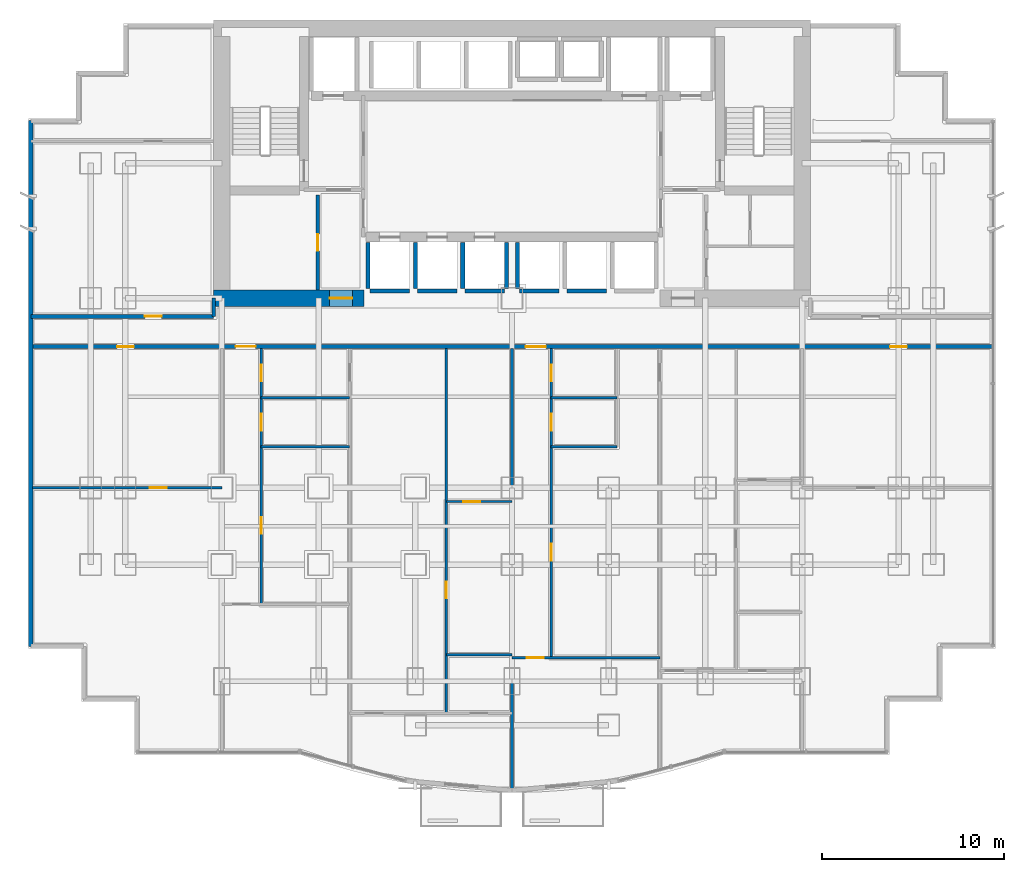
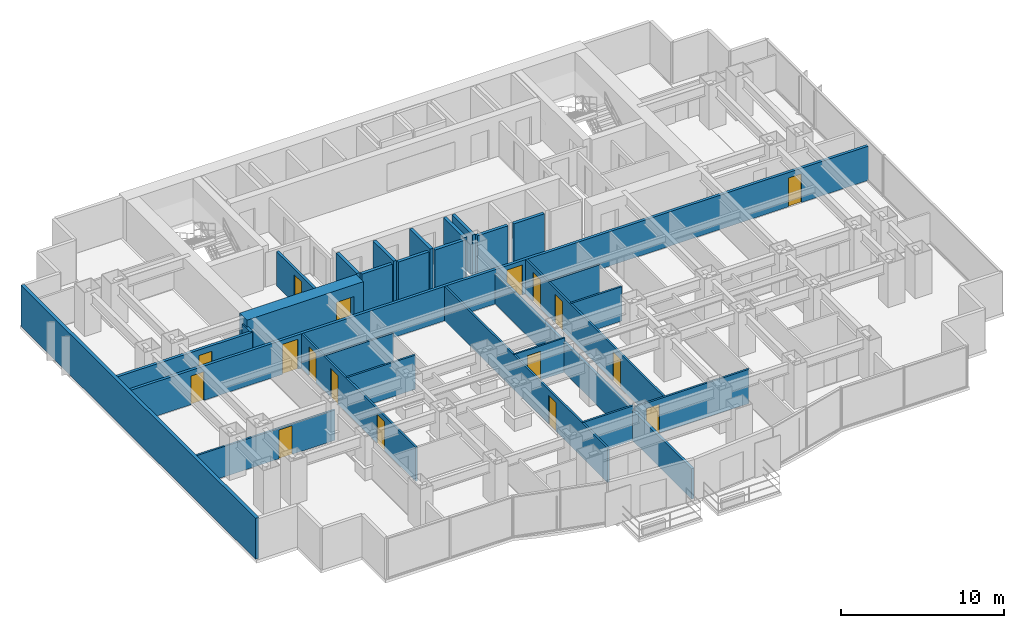
# One storey, part 7 of 12: 28 walls, 17 doors, 17 openings.
"""IFC4 building model written with IfcOpenShell, lengths in metres."""

from ifc_helpers import new_model, si_unit, direction, frame, frame_2d, origin, place, context, subcontext, project, spatial, rectangle, extrude, material, layer, layer_set, type_object, element, fill, save


model = new_model("IFC4")

# Units and contexts
model_context = context("Model", 3, precision=1e-05, world=origin(), true_north=direction((0.0, 1.0)))
body_context = subcontext(model_context, "Body", "Model", "MODEL_VIEW")
ifc_project = project(units=[si_unit("LENGTHUNIT", "METRE"), si_unit("AREAUNIT", "SQUARE_METRE"), si_unit("VOLUMEUNIT", "CUBIC_METRE"), si_unit("PLANEANGLEUNIT", "RADIAN"), si_unit("MASSUNIT", "GRAM", prefix="KILO")], contexts=[model_context])

# Site, building, storey
site_placement = place(None, origin())
site = spatial("IfcSite", under=ifc_project, at=site_placement, CompositionType="ELEMENT")
building_placement = place(site_placement, origin())
building = spatial("IfcBuilding", under=site, at=building_placement, Name="Qianlan Lanfeng Residences", CompositionType="ELEMENT")
storey_placement = place(building_placement, frame((0.0, 0.0, 47.300048828125)))
storey = spatial("IfcBuildingStorey", under=building, at=storey_placement, Name="L12", CompositionType="ELEMENT", Elevation=47.300048828125)

# Wall, opening, door
ifc_material_1 = material(Name="Concrete C70", Category="concrete")
ifc_layer_1 = layer(ifc_material_1, 0.89990234375)
ifc_layer_set_1 = layer_set([ifc_layer_1], Name="Concrete C70")
wall_type_1 = type_object("IfcWallType", Name="CW-RC-900", PredefinedType="SHEAR", material=ifc_layer_set_1)
wall_1_placement = place(storey_placement, frame((10.14990234375, 25.199951171875, 0.0), z_axis=(0.0, 0.0, 1.0), x_axis=(1.0, 0.0, 0.0)))
wall_1 = element("IfcWall", 1, at=wall_1_placement, inside=storey, type_object=wall_type_1, Name="L12 Core Shear Wall SW", PredefinedType="SHEAR", context=body_context, shape_type="SweptSolid", body=[
    extrude(rectangle(XDim=8.25, YDim=0.89990234375, at=frame_2d((4.125, 0.0))), origin(), (0.0, 0.0, 1.0), 3.079833984375),
])
opening_1_placement = place(wall_1_placement, frame((6.35009765625, 0.0, 0.0)))
opening_1 = element("IfcOpeningElement", 2, at=opening_1_placement, cuts=wall_1, Name="Opening L12-D01", PredefinedType="OPENING", context=body_context, shape_type="SweptSolid", body=[
    extrude(rectangle(XDim=1.25, YDim=2.199951171875, at=frame_2d((0.625, 1.10009765625))), frame((0.0, 0.4599609375, 0.0), z_axis=(0.0, -1.0, 0.0), x_axis=(1.0, 0.0, 0.0)), (0.0, 0.0, 1.0), 0.919921875),
])
ifc_material_2 = material(Name="Painted Galvanised Steel Fire Door", Category="steel")
door_type_1 = type_object("IfcDoorType", Name="DT-FFL", OperationType="NOTDEFINED", PredefinedType="DOOR", material=ifc_material_2)
door_1_placement = place(opening_1_placement, frame((1.25, 0.0, 0.0), z_axis=(0.0, 0.0, 1.0), x_axis=(-1.0, 0.0, 0.0)))
door_1 = element("IfcDoor", 3, at=door_1_placement, inside=storey, type_object=door_type_1, Name="L12 West Core Lobby Smoke Door L12-D01 (DT-FFL)", OperationType="SINGLE_SWING_RIGHT", OverallHeight=2.199951171875, OverallWidth=1.25, PredefinedType="DOOR", context=body_context, shape_type="SweptSolid", body=[
    extrude(rectangle(XDim=1.25, YDim=2.199951171875, at=frame_2d((0.625, 1.10009765625))), frame((0.0, 0.02490234375, 0.0), z_axis=(0.0, -1.0, 0.0), x_axis=(1.0, 0.0, 0.0)), (0.0, 0.0, 1.0), 0.050048828125),
])
fill(opening_1, door_1)

# Wall
ifc_material_3 = material(Name="Concrete C42", Category="concrete")
ifc_layer_2 = layer(ifc_material_3, 0.239990234375)
ifc_layer_set_2 = layer_set([ifc_layer_2], Name="Concrete C42")
wall_type_2 = type_object("IfcWallType", Name="EW-240", PredefinedType="SOLIDWALL", material=ifc_layer_set_2)
wall_2_placement = place(storey_placement, frame((0.1201171875, 34.929931640625, 0.0), z_axis=(0.0, 0.0, 1.0), x_axis=(0.0, -1.0, 0.0)))
element("IfcWall", 4, at=wall_2_placement, inside=storey, type_object=wall_type_2, Name="L12 Exterior Facade Spandrel Wall 21", PredefinedType="SOLIDWALL", context=body_context, shape_type="SweptSolid", body=[
    extrude(rectangle(XDim=28.809814453125, YDim=0.239990234375, at=frame_2d((14.40478515625, 0.0))), origin(), (0.0, 0.0, 1.0), 3.079833984375),
])

# Wall, opening, door
ifc_material_4 = material(Name="Demountable Acoustic Framing Partition 110 mm")
ifc_layer_3 = layer(ifc_material_4, 0.110107421875)
ifc_layer_set_3 = layer_set([ifc_layer_3], Name="Demountable Acoustic Framing Partition 110 mm")
wall_type_3 = type_object("IfcWallType", Name="PW-110", PredefinedType="MOVABLE", material=ifc_layer_set_3)
wall_3_placement = place(storey_placement, frame((22.89990234375, 14.050048828125, 0.0), z_axis=(0.0, 0.0, 1.0), x_axis=(1.0, 0.0, 0.0)))
wall_3 = element("IfcWall", 5, at=wall_3_placement, inside=storey, type_object=wall_type_3, Name="L12 U01 Wardrobe Split", PredefinedType="MOVABLE", context=body_context, shape_type="SweptSolid", body=[
    extrude(rectangle(XDim=3.60009765625, YDim=0.110107421875, at=frame_2d((1.800048828125, 0.0))), origin(), (0.0, 0.0, 1.0), 2.570068359375),
])
opening_2_placement = place(wall_3_placement, frame((0.93994140625, 0.0, 0.0)))
opening_2 = element("IfcOpeningElement", 6, at=opening_2_placement, cuts=wall_3, Name="Opening L12-D24", PredefinedType="OPENING", context=body_context, shape_type="SweptSolid", body=[
    extrude(rectangle(XDim=0.919921875, YDim=2.14990234375, at=frame_2d((0.4599609375, 1.074951171875))), frame((0.0, 0.06494140625, 0.0), z_axis=(0.0, -1.0, 0.0), x_axis=(1.0, 0.0, 0.0)), (0.0, 0.0, 1.0), 0.130126953125),
])
ifc_material_5 = material(Name="Glazed Timber Kitchen/Study Door", Category="wood")
door_type_2 = type_object("IfcDoorType", Name="DT-INT", OperationType="NOTDEFINED", PredefinedType="DOOR", material=ifc_material_5)
door_2_placement = place(opening_2_placement, origin())
door_2 = element("IfcDoor", 7, at=door_2_placement, inside=storey, type_object=door_type_2, Name="L12 U01 Dressing Inner Door L12-D24 (DT-INT)", OperationType="SINGLE_SWING_RIGHT", OverallHeight=2.14990234375, OverallWidth=0.919921875, PredefinedType="DOOR", context=body_context, shape_type="SweptSolid", body=[
    extrude(rectangle(XDim=0.919921875, YDim=2.14990234375, at=frame_2d((0.4599609375, 1.074951171875))), frame((0.0, 0.02490234375, 0.0), z_axis=(0.0, -1.0, 0.0), x_axis=(1.0, 0.0, 0.0)), (0.0, 0.0, 1.0), 0.050048828125),
])
fill(opening_2, door_2)

# Wall, openings, doors
ifc_material_6 = material(Name="Moisture-Resistant Gypsum Partition 135 mm")
ifc_layer_4 = layer(ifc_material_6, 0.135009765625)
ifc_layer_set_4 = layer_set([ifc_layer_4], Name="Moisture-Resistant Gypsum Partition 135 mm")
wall_type_4 = type_object("IfcWallType", Name="PW-135", PredefinedType="PARTITIONING", material=ifc_layer_set_4)
wall_4_placement = place(storey_placement, frame((12.75, 8.419921875, 0.0), z_axis=(0.0, 0.0, 1.0), x_axis=(0.0, 1.0, 0.0)))
wall_4 = element("IfcWall", 8, at=wall_4_placement, inside=storey, type_object=wall_type_4, Name="L12 U01 Entry Hall Spine", PredefinedType="PARTITIONING", context=body_context, shape_type="SweptSolid", body=[
    extrude(rectangle(XDim=14.030029296875, YDim=0.135009765625, at=frame_2d((7.01513671875, 0.0))), origin(), (0.0, 0.0, 1.0), 2.570068359375),
])
opening_3_placement = place(wall_4_placement, frame((3.85498046875, 0.0, 0.0)))
opening_3 = element("IfcOpeningElement", 9, at=opening_3_placement, cuts=wall_4, Name="Opening L12-D18", PredefinedType="OPENING", context=body_context, shape_type="SweptSolid", body=[
    extrude(rectangle(XDim=0.919921875, YDim=2.14990234375, at=frame_2d((0.4599609375, 1.074951171875))), frame((0.0, 0.07763671875, 0.0), z_axis=(0.0, -1.0, 0.0), x_axis=(1.0, 0.0, 0.0)), (0.0, 0.0, 1.0), 0.155029296875),
])
opening_4_placement = place(wall_4_placement, frame((9.52001953125, 0.0, 0.0)))
opening_4 = element("IfcOpeningElement", 10, at=opening_4_placement, cuts=wall_4, Name="Opening L12-D19", PredefinedType="OPENING", context=body_context, shape_type="SweptSolid", body=[
    extrude(rectangle(XDim=0.919921875, YDim=2.14990234375, at=frame_2d((0.4599609375, 1.074951171875))), frame((0.0, 0.07763671875, 0.0), z_axis=(0.0, -1.0, 0.0), x_axis=(1.0, 0.0, 0.0)), (0.0, 0.0, 1.0), 0.155029296875),
])
opening_5_placement = place(wall_4_placement, frame((12.22998046875, 0.0, 0.0)))
opening_5 = element("IfcOpeningElement", 11, at=opening_5_placement, cuts=wall_4, Name="Opening L12-D20", PredefinedType="OPENING", context=body_context, shape_type="SweptSolid", body=[
    extrude(rectangle(XDim=0.89990234375, YDim=2.14990234375, at=frame_2d((0.449951171875, 1.074951171875))), frame((0.0, 0.07763671875, 0.0), z_axis=(0.0, -1.0, 0.0), x_axis=(1.0, 0.0, 0.0)), (0.0, 0.0, 1.0), 0.155029296875),
])
door_3_placement = place(opening_3_placement, origin())
door_3 = element("IfcDoor", 12, at=door_3_placement, inside=storey, type_object=door_type_2, Name="L12 U01 Study Door L12-D18 (DT-INT)", OperationType="SINGLE_SWING_RIGHT", OverallHeight=2.14990234375, OverallWidth=0.919921875, PredefinedType="DOOR", context=body_context, shape_type="SweptSolid", body=[
    extrude(rectangle(XDim=0.919921875, YDim=2.14990234375, at=frame_2d((0.4599609375, 1.074951171875))), frame((0.0, 0.02490234375, 0.0), z_axis=(0.0, -1.0, 0.0), x_axis=(1.0, 0.0, 0.0)), (0.0, 0.0, 1.0), 0.050048828125),
])
fill(opening_3, door_3)
door_4_placement = place(opening_4_placement, origin())
door_4 = element("IfcDoor", 13, at=door_4_placement, inside=storey, type_object=door_type_2, Name="L12 U01 Kitchen Door L12-D19 (DT-INT)", OperationType="SINGLE_SWING_LEFT", OverallHeight=2.14990234375, OverallWidth=0.919921875, PredefinedType="DOOR", context=body_context, shape_type="SweptSolid", body=[
    extrude(rectangle(XDim=0.919921875, YDim=2.14990234375, at=frame_2d((0.4599609375, 1.074951171875))), frame((0.0, 0.02490234375, 0.0), z_axis=(0.0, -1.0, 0.0), x_axis=(1.0, 0.0, 0.0)), (0.0, 0.0, 1.0), 0.050048828125),
])
fill(opening_4, door_4)
ifc_material_7 = material(Name="Moisture-Resistant Timber Leaf", Category="wood")
door_type_3 = type_object("IfcDoorType", Name="DT-WC", OperationType="NOTDEFINED", PredefinedType="DOOR", material=ifc_material_7)
door_5_placement = place(opening_5_placement, origin())
door_5 = element("IfcDoor", 14, at=door_5_placement, inside=storey, type_object=door_type_3, Name="L12 U01 Bathroom Door L12-D20 (DT-WC)", OperationType="SINGLE_SWING_RIGHT", OverallHeight=2.14990234375, OverallWidth=0.89990234375, PredefinedType="DOOR", context=body_context, shape_type="SweptSolid", body=[
    extrude(rectangle(XDim=0.89990234375, YDim=2.14990234375, at=frame_2d((0.449951171875, 1.074951171875))), frame((0.0, 0.02490234375, 0.0), z_axis=(0.0, -1.0, 0.0), x_axis=(1.0, 0.0, 0.0)), (0.0, 0.0, 1.0), 0.050048828125),
])
fill(opening_5, door_5)

# Walls
for number, where, z_axis, x_axis, name in (
    (15, (12.75, 17.050048828125, 0.0), (0.0, 0.0, 1.0), (1.0, 0.0, 0.0), "L12 U01 Kitchen South Wall"),
    (16, (12.75, 19.75, 0.0), (0.0, 0.0, 1.0), (1.0, 0.0, 0.0), "L12 U01 Bathroom South Wall"),
):
    element("IfcWall", number, at=place(storey_placement, frame(where, z_axis=z_axis, x_axis=x_axis)), inside=storey, type_object=wall_type_4, Name=name, PredefinedType="PARTITIONING", context=body_context, shape_type="SweptSolid", body=[
        extrude(rectangle(XDim=4.85009765625, YDim=0.135009765625, at=frame_2d((2.425048828125, 0.0))), origin(), (0.0, 0.0, 1.0), 2.570068359375),
    ])

# Wall, opening, door
wall_5_placement = place(storey_placement, frame((22.89990234375, 2.450927734375, 0.0), z_axis=(0.0, 0.0, 1.0), x_axis=(0.0, 1.0, 0.0)))
wall_5 = element("IfcWall", 17, at=wall_5_placement, inside=storey, type_object=wall_type_4, Name="L12 U01 Master Passage Wall", PredefinedType="PARTITIONING", context=body_context, shape_type="SweptSolid", body=[
    extrude(rectangle(XDim=19.9990234375, YDim=0.135009765625, at=frame_2d((9.99951171875, 0.0))), origin(), (0.0, 0.0, 1.0), 2.570068359375),
])
opening_6_placement = place(wall_5_placement, frame((6.2890625, 0.0, 0.0)))
opening_6 = element("IfcOpeningElement", 18, at=opening_6_placement, cuts=wall_5, Name="Opening L12-D23", PredefinedType="OPENING", context=body_context, shape_type="SweptSolid", body=[
    extrude(rectangle(XDim=0.919921875, YDim=2.14990234375, at=frame_2d((0.4599609375, 1.074951171875))), frame((0.0, 0.07763671875, 0.0), z_axis=(0.0, -1.0, 0.0), x_axis=(1.0, 0.0, 0.0)), (0.0, 0.0, 1.0), 0.155029296875),
])
door_6_placement = place(opening_6_placement, origin())
door_6 = element("IfcDoor", 19, at=door_6_placement, inside=storey, type_object=door_type_2, Name="L12 U01 Wardrobe Door L12-D23 (DT-INT)", OperationType="SINGLE_SWING_LEFT", OverallHeight=2.14990234375, OverallWidth=0.919921875, PredefinedType="DOOR", context=body_context, shape_type="SweptSolid", body=[
    extrude(rectangle(XDim=0.919921875, YDim=2.14990234375, at=frame_2d((0.4599609375, 1.074951171875))), frame((0.0, 0.02490234375, 0.0), z_axis=(0.0, -1.0, 0.0), x_axis=(1.0, 0.0, 0.0)), (0.0, 0.0, 1.0), 0.050048828125),
])
fill(opening_6, door_6)

# Wall
wall_6_placement = place(storey_placement, frame((22.89990234375, 5.65087890625, 0.0), z_axis=(0.0, 0.0, 1.0), x_axis=(1.0, 0.0, 0.0)))
element("IfcWall", 20, at=wall_6_placement, inside=storey, type_object=wall_type_4, Name="L12 U01 En-Suite North Wall", PredefinedType="PARTITIONING", context=body_context, shape_type="SweptSolid", body=[
    extrude(rectangle(XDim=3.60009765625, YDim=0.135009765625, at=frame_2d((1.800048828125, 0.0))), origin(), (0.0, 0.0, 1.0), 2.570068359375),
])

# Wall, opening, door
wall_7_placement = place(storey_placement, frame((26.5, 5.493896484375, 0.0), z_axis=(0.0, 0.0, 1.0), x_axis=(1.0, 0.0, 0.0)))
wall_7 = element("IfcWall", 21, at=wall_7_placement, inside=storey, type_object=wall_type_4, Name="L12 U02 Living Divider", PredefinedType="PARTITIONING", context=body_context, shape_type="SweptSolid", body=[
    extrude(rectangle(XDim=8.10009765625, YDim=0.135009765625, at=frame_2d((4.050048828125, 0.0))), origin(), (0.0, 0.0, 1.0), 2.570068359375),
])
opening_7_placement = place(wall_7_placement, frame((0.81494140625, 0.0, 0.0)))
opening_7 = element("IfcOpeningElement", 22, at=opening_7_placement, cuts=wall_7, Name="Opening L12-D27", PredefinedType="OPENING", context=body_context, shape_type="SweptSolid", body=[
    extrude(rectangle(XDim=0.919921875, YDim=2.14990234375, at=frame_2d((0.4599609375, 1.074951171875))), frame((0.0, 0.07763671875, 0.0), z_axis=(0.0, -1.0, 0.0), x_axis=(1.0, 0.0, 0.0)), (0.0, 0.0, 1.0), 0.155029296875),
])
door_7_placement = place(opening_7_placement, origin())
door_7 = element("IfcDoor", 23, at=door_7_placement, inside=storey, type_object=door_type_2, Name="L12 U02 Living Passage Door L12-D27 (DT-INT)", OperationType="SINGLE_SWING_LEFT", OverallHeight=2.14990234375, OverallWidth=0.919921875, PredefinedType="DOOR", context=body_context, shape_type="SweptSolid", body=[
    extrude(rectangle(XDim=0.919921875, YDim=2.14990234375, at=frame_2d((0.4599609375, 1.074951171875))), frame((0.0, 0.02490234375, 0.0), z_axis=(0.0, -1.0, 0.0), x_axis=(1.0, 0.0, 0.0)), (0.0, 0.0, 1.0), 0.050048828125),
])
fill(opening_7, door_7)

# Wall, openings, doors
wall_8_placement = place(storey_placement, frame((28.64990234375, 5.493896484375, 0.0), z_axis=(0.0, 0.0, 1.0), x_axis=(0.0, 1.0, 0.0)))
wall_8 = element("IfcWall", 24, at=wall_8_placement, inside=storey, type_object=wall_type_4, Name="L12 U02 Entry Hall Spine", PredefinedType="PARTITIONING", context=body_context, shape_type="SweptSolid", body=[
    extrude(rectangle(XDim=16.9560546875, YDim=0.135009765625, at=frame_2d((8.47802734375, 0.0))), origin(), (0.0, 0.0, 1.0), 2.570068359375),
])
opening_8_placement = place(wall_8_placement, frame((5.318115234375, 0.0, 0.0)))
opening_8 = element("IfcOpeningElement", 25, at=opening_8_placement, cuts=wall_8, Name="Opening L12-D28", PredefinedType="OPENING", context=body_context, shape_type="SweptSolid", body=[
    extrude(rectangle(XDim=0.919921875, YDim=2.14990234375, at=frame_2d((0.4599609375, 1.074951171875))), frame((0.0, 0.07763671875, 0.0), z_axis=(0.0, -1.0, 0.0), x_axis=(1.0, 0.0, 0.0)), (0.0, 0.0, 1.0), 0.155029296875),
])
opening_9_placement = place(wall_8_placement, frame((12.446044921875, 0.0, 0.0)))
opening_9 = element("IfcOpeningElement", 26, at=opening_9_placement, cuts=wall_8, Name="Opening L12-D29", PredefinedType="OPENING", context=body_context, shape_type="SweptSolid", body=[
    extrude(rectangle(XDim=0.919921875, YDim=2.14990234375, at=frame_2d((0.4599609375, 1.074951171875))), frame((0.0, 0.07763671875, 0.0), z_axis=(0.0, -1.0, 0.0), x_axis=(1.0, 0.0, 0.0)), (0.0, 0.0, 1.0), 0.155029296875),
])
opening_10_placement = place(wall_8_placement, frame((15.156005859375, 0.0, 0.0)))
opening_10 = element("IfcOpeningElement", 27, at=opening_10_placement, cuts=wall_8, Name="Opening L12-D30", PredefinedType="OPENING", context=body_context, shape_type="SweptSolid", body=[
    extrude(rectangle(XDim=0.89990234375, YDim=2.14990234375, at=frame_2d((0.449951171875, 1.074951171875))), frame((0.0, 0.07763671875, 0.0), z_axis=(0.0, -1.0, 0.0), x_axis=(1.0, 0.0, 0.0)), (0.0, 0.0, 1.0), 0.155029296875),
])
door_8_placement = place(opening_8_placement, origin())
door_8 = element("IfcDoor", 28, at=door_8_placement, inside=storey, type_object=door_type_2, Name="L12 U02 Study Door L12-D28 (DT-INT)", OperationType="SINGLE_SWING_RIGHT", OverallHeight=2.14990234375, OverallWidth=0.919921875, PredefinedType="DOOR", context=body_context, shape_type="SweptSolid", body=[
    extrude(rectangle(XDim=0.919921875, YDim=2.14990234375, at=frame_2d((0.4599609375, 1.074951171875))), frame((0.0, 0.02490234375, 0.0), z_axis=(0.0, -1.0, 0.0), x_axis=(1.0, 0.0, 0.0)), (0.0, 0.0, 1.0), 0.050048828125),
])
fill(opening_8, door_8)
door_9_placement = place(opening_9_placement, origin())
door_9 = element("IfcDoor", 29, at=door_9_placement, inside=storey, type_object=door_type_2, Name="L12 U02 Kitchen Door L12-D29 (DT-INT)", OperationType="SINGLE_SWING_LEFT", OverallHeight=2.14990234375, OverallWidth=0.919921875, PredefinedType="DOOR", context=body_context, shape_type="SweptSolid", body=[
    extrude(rectangle(XDim=0.919921875, YDim=2.14990234375, at=frame_2d((0.4599609375, 1.074951171875))), frame((0.0, 0.02490234375, 0.0), z_axis=(0.0, -1.0, 0.0), x_axis=(1.0, 0.0, 0.0)), (0.0, 0.0, 1.0), 0.050048828125),
])
fill(opening_9, door_9)
door_10_placement = place(opening_10_placement, origin())
door_10 = element("IfcDoor", 30, at=door_10_placement, inside=storey, type_object=door_type_3, Name="L12 U02 Bathroom Door L12-D30 (DT-WC)", OperationType="SINGLE_SWING_RIGHT", OverallHeight=2.14990234375, OverallWidth=0.89990234375, PredefinedType="DOOR", context=body_context, shape_type="SweptSolid", body=[
    extrude(rectangle(XDim=0.89990234375, YDim=2.14990234375, at=frame_2d((0.449951171875, 1.074951171875))), frame((0.0, 0.02490234375, 0.0), z_axis=(0.0, -1.0, 0.0), x_axis=(1.0, 0.0, 0.0)), (0.0, 0.0, 1.0), 0.050048828125),
])
fill(opening_10, door_10)

# Walls
for number, where, z_axis, x_axis, name in (
    (31, (28.64990234375, 17.050048828125, 0.0), (0.0, 0.0, 1.0), (1.0, 0.0, 0.0), "L12 U02 Kitchen South Wall"),
    (32, (28.64990234375, 19.75, 0.0), (0.0, 0.0, 1.0), (1.0, 0.0, 0.0), "L12 U02 Bathroom South Wall"),
):
    element("IfcWall", number, at=place(storey_placement, frame(where, z_axis=z_axis, x_axis=x_axis)), inside=storey, type_object=wall_type_4, Name=name, PredefinedType="PARTITIONING", context=body_context, shape_type="SweptSolid", body=[
        extrude(rectangle(XDim=3.60009765625, YDim=0.135009765625, at=frame_2d((1.800048828125, 0.0))), origin(), (0.0, 0.0, 1.0), 2.570068359375),
    ])

# Wall, opening, door
wall_9_placement = place(storey_placement, frame((0.219970703125, 14.800048828125, 0.0), z_axis=(0.0, 0.0, 1.0), x_axis=(1.0, 0.0, 0.0)))
wall_9 = element("IfcWall", 33, at=wall_9_placement, inside=storey, type_object=wall_type_4, Name="L12 SWP Mid Partition", PredefinedType="PARTITIONING", context=body_context, shape_type="SweptSolid", body=[
    extrude(rectangle(XDim=10.380126953125, YDim=0.135009765625, at=frame_2d((5.18994140625, 0.0))), origin(), (0.0, 0.0, 1.0), 2.27490234375),
])
opening_11_placement = place(wall_9_placement, frame((6.429931640625, 0.0, 0.0)))
opening_11 = element("IfcOpeningElement", 34, at=opening_11_placement, cuts=wall_9, Name="Opening L12-D35", PredefinedType="OPENING", context=body_context, shape_type="SweptSolid", body=[
    extrude(rectangle(XDim=0.919921875, YDim=2.14990234375, at=frame_2d((0.4599609375, 1.074951171875))), frame((0.0, 0.07763671875, 0.0), z_axis=(0.0, -1.0, 0.0), x_axis=(1.0, 0.0, 0.0)), (0.0, 0.0, 1.0), 0.155029296875),
])
door_11_placement = place(opening_11_placement, origin())
door_11 = element("IfcDoor", 35, at=door_11_placement, inside=storey, type_object=door_type_2, Name="L12 SWP Inner Door L12-D35 (DT-INT)", OperationType="SINGLE_SWING_LEFT", OverallHeight=2.14990234375, OverallWidth=0.919921875, PredefinedType="DOOR", context=body_context, shape_type="SweptSolid", body=[
    extrude(rectangle(XDim=0.919921875, YDim=2.14990234375, at=frame_2d((0.4599609375, 1.074951171875))), frame((0.0, 0.02490234375, 0.0), z_axis=(0.0, -1.0, 0.0), x_axis=(1.0, 0.0, 0.0)), (0.0, 0.0, 1.0), 0.050048828125),
])
fill(opening_11, door_11)

ifc_material_8 = material(Name="Double-Layer Acoustic Gypsum Stud Wall 180 mm")
ifc_layer_5 = layer(ifc_material_8, 0.179931640625)
ifc_layer_set_5 = layer_set([ifc_layer_5], Name="Double-Layer Acoustic Gypsum Stud Wall 180 mm")
wall_type_5 = type_object("IfcWallType", Name="PW-180", PredefinedType="PARTITIONING", material=ifc_layer_set_5)
wall_10_placement = place(storey_placement, frame((15.85009765625, 25.64990234375, 0.0), z_axis=(0.0, 0.0, 1.0), x_axis=(0.0, 1.0, 0.0)))
wall_10 = element("IfcWall", 36, at=wall_10_placement, inside=storey, type_object=wall_type_5, Name="L12 Core West Service Room Wall", PredefinedType="PARTITIONING", context=body_context, shape_type="SweptSolid", body=[
    extrude(rectangle(XDim=5.2001953125, YDim=0.179931640625, at=frame_2d((2.60009765625, 0.0))), origin(), (0.0, 0.0, 1.0), 2.570068359375),
])
opening_12_placement = place(wall_10_placement, frame((2.139892578125, 0.0, 0.0)))
opening_12 = element("IfcOpeningElement", 37, at=opening_12_placement, cuts=wall_10, Name="Opening L12-D09", PredefinedType="OPENING", context=body_context, shape_type="SweptSolid", body=[
    extrude(rectangle(XDim=0.919921875, YDim=2.14990234375, at=frame_2d((0.4599609375, 1.074951171875))), frame((0.0, 0.10009765625, 0.0), z_axis=(0.0, -1.0, 0.0), x_axis=(1.0, 0.0, 0.0)), (0.0, 0.0, 1.0), 0.199951171875),
])
door_12_placement = place(opening_12_placement, origin())
door_12 = element("IfcDoor", 38, at=door_12_placement, inside=storey, type_object=door_type_2, Name="L12 Storage Room Door L12-D09 (DT-INT)", OperationType="SINGLE_SWING_LEFT", OverallHeight=2.14990234375, OverallWidth=0.919921875, PredefinedType="DOOR", context=body_context, shape_type="SweptSolid", body=[
    extrude(rectangle(XDim=0.919921875, YDim=2.14990234375, at=frame_2d((0.4599609375, 1.074951171875))), frame((0.0, 0.02490234375, 0.0), z_axis=(0.0, -1.0, 0.0), x_axis=(1.0, 0.0, 0.0)), (0.0, 0.0, 1.0), 0.050048828125),
])
fill(opening_12, door_12)

# Wall
wall_11_placement = place(storey_placement, frame((26.5, -1.679931640625, 0.0), z_axis=(0.0, 0.0, 1.0), x_axis=(0.0, 1.0, 0.0)))
element("IfcWall", 39, at=wall_11_placement, inside=storey, type_object=wall_type_5, Name="L12 Inter-Tenancy Party Wall 2", PredefinedType="PARTITIONING", context=body_context, shape_type="SweptSolid", body=[
    extrude(rectangle(XDim=24.1298828125, YDim=0.179931640625, at=frame_2d((12.06494140625, 0.0))), origin(), (0.0, 0.0, 1.0), 2.27490234375),
])

# Wall, openings, doors
ifc_material_9 = material(Name="Autoclaved Aerated Concrete Blockwork 200 mm", Category="masonry")
ifc_layer_6 = layer(ifc_material_9, 0.199951171875)
ifc_layer_set_6 = layer_set([ifc_layer_6], Name="Autoclaved Aerated Concrete Blockwork 200 mm")
wall_type_6 = type_object("IfcWallType", Name="PW-200", PredefinedType="PARTITIONING", material=ifc_layer_set_6)
wall_12_placement = place(storey_placement, frame((0.1201171875, 22.550048828125, 0.0), z_axis=(0.0, 0.0, 1.0), x_axis=(1.0, 0.0, 0.0)))
wall_12 = element("IfcWall", 40, at=wall_12_placement, inside=storey, type_object=wall_type_6, Name="L12 Residential Corridor South Fire Wall", PredefinedType="PARTITIONING", context=body_context, shape_type="SweptSolid", body=[
    extrude(rectangle(XDim=52.759765625, YDim=0.199951171875, at=frame_2d((26.3798828125, 0.0))), origin(), (0.0, 0.0, 1.0), 2.570068359375),
])
opening_13_placement = place(wall_12_placement, frame((11.22998046875, 0.0, 0.0)))
opening_13 = element("IfcOpeningElement", 41, at=opening_13_placement, cuts=wall_12, Name="Opening L12-D15", PredefinedType="OPENING", context=body_context, shape_type="SweptSolid", body=[
    extrude(rectangle(XDim=1.10009765625, YDim=2.25, at=frame_2d((0.550048828125, 1.125))), frame((0.0, 0.10986328125, 0.0), z_axis=(0.0, -1.0, 0.0), x_axis=(1.0, 0.0, 0.0)), (0.0, 0.0, 1.0), 0.219970703125),
])
opening_14_placement = place(wall_12_placement, frame((27.1298828125, 0.0, 0.0)))
opening_14 = element("IfcOpeningElement", 42, at=opening_14_placement, cuts=wall_12, Name="Opening L12-D25", PredefinedType="OPENING", context=body_context, shape_type="SweptSolid", body=[
    extrude(rectangle(XDim=1.10009765625, YDim=2.25, at=frame_2d((0.550048828125, 1.125))), frame((0.0, 0.10986328125, 0.0), z_axis=(0.0, -1.0, 0.0), x_axis=(1.0, 0.0, 0.0)), (0.0, 0.0, 1.0), 0.219970703125),
])
opening_15_placement = place(wall_12_placement, frame((4.735107421875, 0.0, 0.0)))
opening_15 = element("IfcOpeningElement", 43, at=opening_15_placement, cuts=wall_12, Name="Opening L12-D36", PredefinedType="OPENING", context=body_context, shape_type="SweptSolid", body=[
    extrude(rectangle(XDim=0.919921875, YDim=2.14990234375, at=frame_2d((0.4599609375, 1.074951171875))), frame((0.0, 0.10986328125, 0.0), z_axis=(0.0, -1.0, 0.0), x_axis=(1.0, 0.0, 0.0)), (0.0, 0.0, 1.0), 0.219970703125),
])
opening_16_placement = place(wall_12_placement, frame((47.10498046875, 0.0, 0.0)))
opening_16 = element("IfcOpeningElement", 44, at=opening_16_placement, cuts=wall_12, Name="Opening L12-D38", PredefinedType="OPENING", context=body_context, shape_type="SweptSolid", body=[
    extrude(rectangle(XDim=0.919921875, YDim=2.14990234375, at=frame_2d((0.4599609375, 1.074951171875))), frame((0.0, 0.10986328125, 0.0), z_axis=(0.0, -1.0, 0.0), x_axis=(1.0, 0.0, 0.0)), (0.0, 0.0, 1.0), 0.219970703125),
])
door_13_placement = place(opening_15_placement, origin())
door_13 = element("IfcDoor", 45, at=door_13_placement, inside=storey, type_object=door_type_2, Name="L12 SWP Corridor Door L12-D36 (DT-INT)", OperationType="SINGLE_SWING_RIGHT", OverallHeight=2.14990234375, OverallWidth=0.919921875, PredefinedType="DOOR", context=body_context, shape_type="SweptSolid", body=[
    extrude(rectangle(XDim=0.919921875, YDim=2.14990234375, at=frame_2d((0.4599609375, 1.074951171875))), frame((0.0, 0.02490234375, 0.0), z_axis=(0.0, -1.0, 0.0), x_axis=(1.0, 0.0, 0.0)), (0.0, 0.0, 1.0), 0.050048828125),
])
fill(opening_15, door_13)
door_14_placement = place(opening_16_placement, origin())
door_14 = element("IfcDoor", 46, at=door_14_placement, inside=storey, type_object=door_type_2, Name="L12 SEP Corridor Door L12-D38 (DT-INT)", OperationType="SINGLE_SWING_RIGHT", OverallHeight=2.14990234375, OverallWidth=0.919921875, PredefinedType="DOOR", context=body_context, shape_type="SweptSolid", body=[
    extrude(rectangle(XDim=0.919921875, YDim=2.14990234375, at=frame_2d((0.4599609375, 1.074951171875))), frame((0.0, 0.02490234375, 0.0), z_axis=(0.0, -1.0, 0.0), x_axis=(1.0, 0.0, 0.0)), (0.0, 0.0, 1.0), 0.050048828125),
])
fill(opening_16, door_14)
ifc_material_10 = material(Name="Solid-Core Oak Veneer Fire Door")
door_type_4 = type_object("IfcDoorType", Name="DT-UNIT", OperationType="NOTDEFINED", PredefinedType="DOOR", material=ifc_material_10)
door_15_placement = place(opening_13_placement, frame((1.10009765625, 0.0, 0.0), z_axis=(0.0, 0.0, 1.0), x_axis=(-1.0, 0.0, 0.0)))
door_15 = element("IfcDoor", 47, at=door_15_placement, inside=storey, type_object=door_type_4, Name="L12 Apartment U01 Entrance Door L12-D15 (DT-UNIT)", OperationType="SINGLE_SWING_RIGHT", OverallHeight=2.25, OverallWidth=1.10009765625, PredefinedType="DOOR", context=body_context, shape_type="SweptSolid", body=[
    extrude(rectangle(XDim=1.10009765625, YDim=2.25, at=frame_2d((0.550048828125, 1.125))), frame((0.0, 0.02490234375, 0.0), z_axis=(0.0, -1.0, 0.0), x_axis=(1.0, 0.0, 0.0)), (0.0, 0.0, 1.0), 0.050048828125),
])
fill(opening_13, door_15)
door_16_placement = place(opening_14_placement, origin())
door_16 = element("IfcDoor", 48, at=door_16_placement, inside=storey, type_object=door_type_4, Name="L12 Apartment U02 Entrance Door L12-D25 (DT-UNIT)", OperationType="SINGLE_SWING_RIGHT", OverallHeight=2.25, OverallWidth=1.10009765625, PredefinedType="DOOR", context=body_context, shape_type="SweptSolid", body=[
    extrude(rectangle(XDim=1.10009765625, YDim=2.25, at=frame_2d((0.550048828125, 1.125))), frame((0.0, 0.02490234375, 0.0), z_axis=(0.0, -1.0, 0.0), x_axis=(1.0, 0.0, 0.0)), (0.0, 0.0, 1.0), 0.050048828125),
])
fill(opening_14, door_16)

# Wall, opening, door
wall_13_placement = place(storey_placement, frame((0.1201171875, 24.199951171875, 0.0), z_axis=(0.0, 0.0, 1.0), x_axis=(1.0, 0.0, 0.0)))
wall_13 = element("IfcWall", 49, at=wall_13_placement, inside=storey, type_object=wall_type_6, Name="L12 Corridor NW Wall", PredefinedType="PARTITIONING", context=body_context, shape_type="SweptSolid", body=[
    extrude(rectangle(XDim=10.02978515625, YDim=0.199951171875, at=frame_2d((5.014892578125, 0.0))), origin(), (0.0, 0.0, 1.0), 2.570068359375),
])
opening_17_placement = place(wall_13_placement, frame((6.2548828125, 0.0, 0.0)))
opening_17 = element("IfcOpeningElement", 50, at=opening_17_placement, cuts=wall_13, Name="Opening L12-D40", PredefinedType="OPENING", context=body_context, shape_type="SweptSolid", body=[
    extrude(rectangle(XDim=0.919921875, YDim=2.14990234375, at=frame_2d((0.4599609375, 1.074951171875))), frame((0.0, 0.10986328125, 0.0), z_axis=(0.0, -1.0, 0.0), x_axis=(1.0, 0.0, 0.0)), (0.0, 0.0, 1.0), 0.219970703125),
])
door_17_placement = place(opening_17_placement, origin())
door_17 = element("IfcDoor", 51, at=door_17_placement, inside=storey, type_object=door_type_2, Name="L12 WW Amenity Salon Door L12-D40 (DT-INT)", OperationType="SINGLE_SWING_RIGHT", OverallHeight=2.14990234375, OverallWidth=0.919921875, PredefinedType="DOOR", context=body_context, shape_type="SweptSolid", body=[
    extrude(rectangle(XDim=0.919921875, YDim=2.14990234375, at=frame_2d((0.4599609375, 1.074951171875))), frame((0.0, 0.02490234375, 0.0), z_axis=(0.0, -1.0, 0.0), x_axis=(1.0, 0.0, 0.0)), (0.0, 0.0, 1.0), 0.050048828125),
])
fill(opening_17, door_17)

# Walls
wall_14_placement = place(storey_placement, frame((10.14990234375, 24.199951171875, 0.0), z_axis=(0.0, 0.0, 1.0), x_axis=(0.0, 1.0, 0.0)))
element("IfcWall", 52, at=wall_14_placement, inside=storey, type_object=wall_type_6, Name="L12 NW Wing Core Return Wall", PredefinedType="PARTITIONING", context=body_context, shape_type="SweptSolid", body=[
    extrude(rectangle(XDim=1.0, YDim=0.199951171875, at=frame_2d((0.5, 0.0))), origin(), (0.0, 0.0, 1.0), 2.570068359375),
])
ifc_material_11 = material(Name="Concrete C49", Category="concrete")
ifc_layer_7 = layer(ifc_material_11, 0.219970703125)
ifc_layer_set_7 = layer_set([ifc_layer_7], Name="Concrete C49")
wall_type_7 = type_object("IfcWallType", Name="SHW-220", PredefinedType="SOLIDWALL", material=ifc_layer_set_7)
wall_15_placement = place(storey_placement, frame((18.60009765625, 25.719970703125, 0.0), z_axis=(0.0, 0.0, 1.0), x_axis=(0.0, 1.0, 0.0)))
element("IfcWall", 53, at=wall_15_placement, inside=storey, type_object=wall_type_7, Name="L12 Lift PL-L1 Shaft Wall W", PredefinedType="SOLIDWALL", context=body_context, shape_type="SweptSolid", body=[
    extrude(rectangle(XDim=2.530029296875, YDim=0.219970703125, at=frame_2d((1.26513671875, 0.0))), origin(), (0.0, 0.0, 1.0), 3.079833984375),
])
wall_16_placement = place(storey_placement, frame((18.719970703125, 25.60009765625, 0.0), z_axis=(0.0, 0.0, 1.0), x_axis=(1.0, 0.0, 0.0)))
element("IfcWall", 54, at=wall_16_placement, inside=storey, type_object=wall_type_7, Name="L12 Lift PL-L1 Shaft Back Wall S", PredefinedType="SOLIDWALL", context=body_context, shape_type="SweptSolid", body=[
    extrude(rectangle(XDim=2.159912109375, YDim=0.219970703125, at=frame_2d((1.080078125, 0.0))), origin(), (0.0, 0.0, 1.0), 3.079833984375),
])
wall_17_placement = place(storey_placement, frame((21.199951171875, 25.719970703125, 0.0), z_axis=(0.0, 0.0, 1.0), x_axis=(0.0, 1.0, 0.0)))
element("IfcWall", 55, at=wall_17_placement, inside=storey, type_object=wall_type_7, Name="L12 Lift PL-L2 Shaft Wall W", PredefinedType="SOLIDWALL", context=body_context, shape_type="SweptSolid", body=[
    extrude(rectangle(XDim=2.530029296875, YDim=0.219970703125, at=frame_2d((1.26513671875, 0.0))), origin(), (0.0, 0.0, 1.0), 3.079833984375),
])
wall_18_placement = place(storey_placement, frame((21.320068359375, 25.60009765625, 0.0), z_axis=(0.0, 0.0, 1.0), x_axis=(1.0, 0.0, 0.0)))
element("IfcWall", 56, at=wall_18_placement, inside=storey, type_object=wall_type_7, Name="L12 Lift PL-L2 Shaft Back Wall S", PredefinedType="SOLIDWALL", context=body_context, shape_type="SweptSolid", body=[
    extrude(rectangle(XDim=2.159912109375, YDim=0.219970703125, at=frame_2d((1.080078125, 0.0))), origin(), (0.0, 0.0, 1.0), 3.079833984375),
])
for number, where, z_axis, x_axis, name in (
    (57, (23.800048828125, 25.719970703125, 0.0), (0.0, 0.0, 1.0), (0.0, 1.0, 0.0), "L12 Lift PL-L3 Shaft Wall W"),
    (58, (26.199951171875, 25.719970703125, 0.0), (0.0, 0.0, 1.0), (0.0, 1.0, 0.0), "L12 Lift PL-L3 Shaft Wall E"),
):
    element("IfcWall", number, at=place(storey_placement, frame(where, z_axis=z_axis, x_axis=x_axis)), inside=storey, type_object=wall_type_7, Name=name, PredefinedType="SOLIDWALL", context=body_context, shape_type="SweptSolid", body=[
        extrude(rectangle(XDim=2.530029296875, YDim=0.219970703125, at=frame_2d((1.26513671875, 0.0))), origin(), (0.0, 0.0, 1.0), 3.079833984375),
    ])
wall_19_placement = place(storey_placement, frame((23.919921875, 25.60009765625, 0.0), z_axis=(0.0, 0.0, 1.0), x_axis=(1.0, 0.0, 0.0)))
element("IfcWall", 59, at=wall_19_placement, inside=storey, type_object=wall_type_7, Name="L12 Lift PL-L3 Shaft Back Wall S", PredefinedType="SOLIDWALL", context=body_context, shape_type="SweptSolid", body=[
    extrude(rectangle(XDim=2.16015625, YDim=0.219970703125, at=frame_2d((1.080078125, 0.0))), origin(), (0.0, 0.0, 1.0), 3.079833984375),
])
wall_20_placement = place(storey_placement, frame((26.800048828125, 25.719970703125, 0.0), z_axis=(0.0, 0.0, 1.0), x_axis=(0.0, 1.0, 0.0)))
element("IfcWall", 60, at=wall_20_placement, inside=storey, type_object=wall_type_7, Name="L12 Lift PL-M1 Shaft Wall W", PredefinedType="SOLIDWALL", context=body_context, shape_type="SweptSolid", body=[
    extrude(rectangle(XDim=2.530029296875, YDim=0.219970703125, at=frame_2d((1.26513671875, 0.0))), origin(), (0.0, 0.0, 1.0), 3.079833984375),
])
wall_21_placement = place(storey_placement, frame((26.919921875, 25.60009765625, 0.0), z_axis=(0.0, 0.0, 1.0), x_axis=(1.0, 0.0, 0.0)))
element("IfcWall", 61, at=wall_21_placement, inside=storey, type_object=wall_type_7, Name="L12 Lift PL-M1 Shaft Back Wall S", PredefinedType="SOLIDWALL", context=body_context, shape_type="SweptSolid", body=[
    extrude(rectangle(XDim=2.16015625, YDim=0.219970703125, at=frame_2d((1.080078125, 0.0))), origin(), (0.0, 0.0, 1.0), 3.079833984375),
])
wall_22_placement = place(storey_placement, frame((29.52001953125, 25.60009765625, 0.0), z_axis=(0.0, 0.0, 1.0), x_axis=(1.0, 0.0, 0.0)))
element("IfcWall", 62, at=wall_22_placement, inside=storey, type_object=wall_type_7, Name="L12 Lift PL-M2 Shaft Back Wall S", PredefinedType="SOLIDWALL", context=body_context, shape_type="SweptSolid", body=[
    extrude(rectangle(XDim=2.159912109375, YDim=0.219970703125, at=frame_2d((1.080078125, 0.0))), origin(), (0.0, 0.0, 1.0), 3.079833984375),
])

save(model, "model.ifc")
